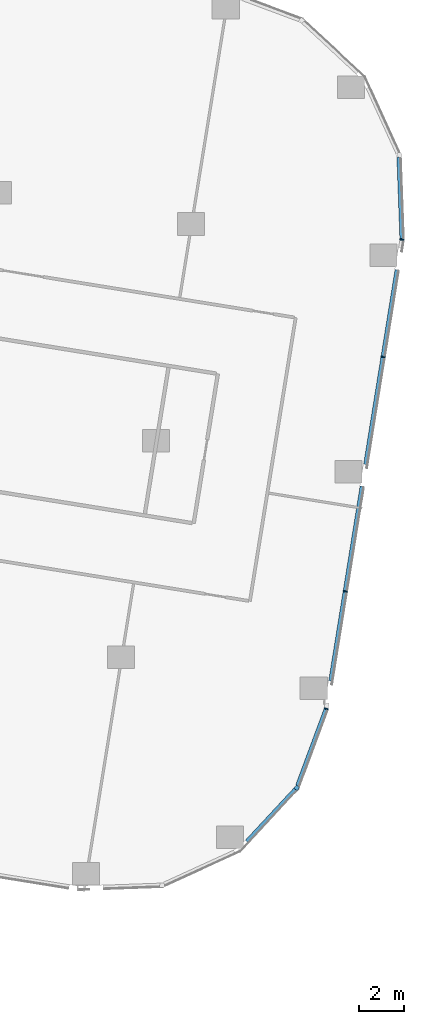
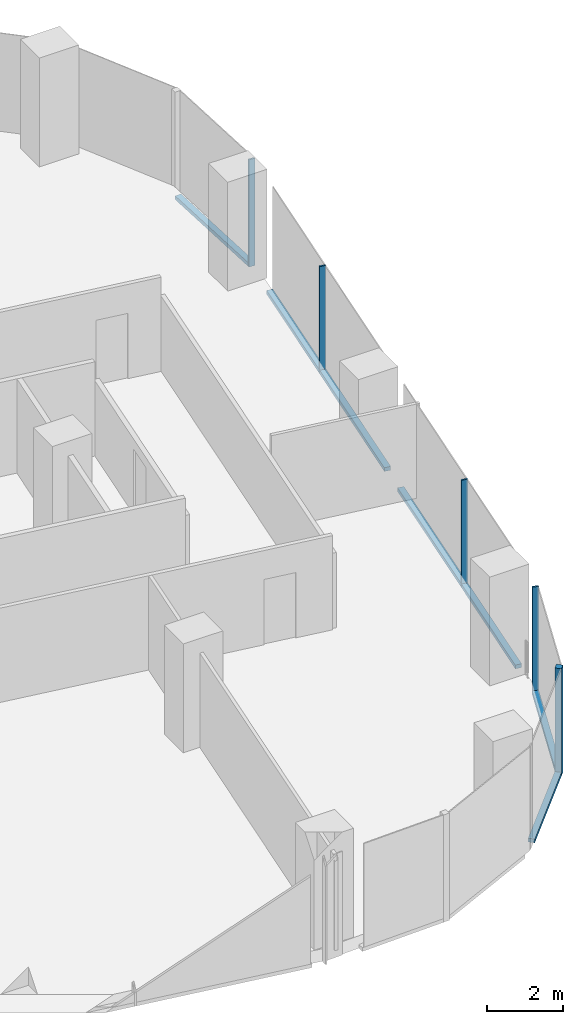
# One storey, part 10 of 34: 10 members, 4 elements without a shape of their own.
"""IFC4 building model written with IfcOpenShell, lengths in metres."""

from ifc_helpers import new_model, si_unit, direction, frame, origin, origin_2d, place, context, subcontext, project, spatial, rectangle, extrude, material, material_profile, profile_set, type_object, element, aggregate, save


model = new_model("IFC4")

# Units and contexts
model_context = context("Model", 3, precision=1e-05, world=origin(), true_north=direction((0.0, 1.0)))
body_context = subcontext(model_context, "Body", "Model", "MODEL_VIEW")
ifc_project = project(units=[si_unit("LENGTHUNIT", "METRE"), si_unit("AREAUNIT", "SQUARE_METRE"), si_unit("VOLUMEUNIT", "CUBIC_METRE"), si_unit("PLANEANGLEUNIT", "RADIAN"), si_unit("MASSUNIT", "GRAM", prefix="KILO")], contexts=[model_context])

# Site, building, storey
site_placement = place(None, origin())
site = spatial("IfcSite", under=ifc_project, at=site_placement, CompositionType="ELEMENT")
building_placement = place(site_placement, origin())
building = spatial("IfcBuilding", under=site, at=building_placement, Name="Orlundy Tower", CompositionType="ELEMENT")
storey_placement = place(building_placement, frame((0.0, 0.0, 134.199951171875)))
storey = spatial("IfcBuildingStorey", under=building, at=storey_placement, Name="L34", CompositionType="ELEMENT", Elevation=134.199951171875)

# Curtain wall, member
ifc_material_1 = material(Name="Aluminium bronze anodised", Category="aluminium")
curtain_wall_type = type_object("IfcCurtainWallType", Name="CW1 wall", PredefinedType="NOTDEFINED", material=ifc_material_1)
curtain_wall_1_placement = place(storey_placement, origin())
curtain_wall_1 = element("IfcCurtainWall", 1, at=curtain_wall_1_placement, inside=storey, type_object=curtain_wall_type, Name="CW1 run 013", PredefinedType="NOTDEFINED")
ifc_material_2 = material(Name="Aluminium bronze anodised", Category="aluminium")
ifc_material_profile_1 = material_profile(ifc_material_2, rectangle(XDim=0.179931640625, YDim=0.179931640625, at=origin_2d()), Name="CW1 corner post 180x180")
ifc_profile_set_1 = profile_set([ifc_material_profile_1], Name="Aluminium bronze anodised")
member_type_1 = type_object("IfcMemberType", Name="CW1 corner post 180x180", PredefinedType="MULLION", material=ifc_profile_set_1)
member_1_placement = place(storey_placement, frame((55.85205078125, -23.3671875, -0.39990234375), z_axis=(0.0, 0.0, 1.0), x_axis=(0.732274349196, -0.681009748469, 0.0)))
member_1 = element("IfcMember", 2, at=member_1_placement, type_object=member_type_1, Name="CW1 mullion 41", PredefinedType="MULLION", context=body_context, shape_type="SweptSolid", body=[
    extrude(rectangle(XDim=0.179931640625, YDim=0.179931640625, at=origin_2d()), origin(), (0.0, 0.0, 1.0), 3.449951171875),
])

# Curtain wall, members
curtain_wall_2_placement = place(storey_placement, origin())
curtain_wall_2 = element("IfcCurtainWall", 3, at=curtain_wall_2_placement, inside=storey, type_object=curtain_wall_type, Name="CW1 run 011", PredefinedType="NOTDEFINED")
ifc_material_3 = material(Name="Aluminium bronze anodised", Category="aluminium")
ifc_material_profile_2 = material_profile(ifc_material_3, rectangle(XDim=0.179931640625, YDim=0.050048828125, at=origin_2d()), Name="CW1 mullion 50x180")
ifc_profile_set_2 = profile_set([ifc_material_profile_2], Name="Aluminium bronze anodised")
member_type_2 = type_object("IfcMemberType", Name="CW1 mullion 50x180", PredefinedType="MULLION", material=ifc_profile_set_2)
member_2_placement = place(storey_placement, frame((60.503173828125, 0.88134765625, -0.39990234375), z_axis=(0.0, 0.0, 1.0), x_axis=(0.998091535711, -0.061751812466, 0.0)))
member_2 = element("IfcMember", 4, at=member_2_placement, type_object=member_type_2, Name="CW1 mullion 36", PredefinedType="MULLION", context=body_context, shape_type="SweptSolid", body=[
    extrude(rectangle(XDim=0.179931640625, YDim=0.050048828125, at=origin_2d()), origin(), (0.0, 0.0, 1.0), 3.449951171875),
])
member_3_placement = place(storey_placement, frame((59.665283203125, -4.310302734375, -0.39990234375), z_axis=(0.0, 0.0, 1.0), x_axis=(0.987225178566, -0.159331248677, 0.0)))
member_3 = element("IfcMember", 5, at=member_3_placement, type_object=member_type_2, Name="CW1 mullion 37", PredefinedType="MULLION", context=body_context, shape_type="SweptSolid", body=[
    extrude(rectangle(XDim=0.179931640625, YDim=0.050048828125, at=origin_2d()), origin(), (0.0, 0.0, 1.0), 3.449951171875),
])
member_4_placement = place(storey_placement, frame((57.992431640625, -14.67626953125, -0.39990234375), z_axis=(0.0, 0.0, 1.0), x_axis=(0.987225178566, -0.159331248677, 0.0)))
member_4 = element("IfcMember", 6, at=member_4_placement, type_object=member_type_2, Name="CW1 mullion 39", PredefinedType="MULLION", context=body_context, shape_type="SweptSolid", body=[
    extrude(rectangle(XDim=0.179931640625, YDim=0.050048828125, at=origin_2d()), origin(), (0.0, 0.0, 1.0), 3.449951171875),
])

# Curtain wall, member
curtain_wall_3_placement = place(storey_placement, origin())
curtain_wall_3 = element("IfcCurtainWall", 7, at=curtain_wall_3_placement, inside=storey, type_object=curtain_wall_type, Name="CW1 run 012", PredefinedType="NOTDEFINED")
member_5_placement = place(storey_placement, frame((57.154541015625, -19.8681640625, -0.39990234375), z_axis=(0.0, 0.0, 1.0), x_axis=(0.966861234208, -0.255302475086, 0.0)))
member_5 = element("IfcMember", 8, at=member_5_placement, type_object=member_type_2, Name="CW1 mullion 40", PredefinedType="MULLION", context=body_context, shape_type="SweptSolid", body=[
    extrude(rectangle(XDim=0.179931640625, YDim=0.050048828125, at=origin_2d()), origin(), (0.0, 0.0, 1.0), 3.449951171875),
])

curtain_wall_4_placement = place(storey_placement, origin())
curtain_wall_4 = element("IfcCurtainWall", 9, at=curtain_wall_4_placement, inside=storey, type_object=curtain_wall_type, Name="CW1 run 010", PredefinedType="NOTDEFINED")
ifc_material_4 = material(Name="Aluminium bronze anodised", Category="aluminium")
ifc_material_profile_3 = material_profile(ifc_material_4, rectangle(XDim=0.179931640625, YDim=0.1201171875, at=origin_2d()), Name="CW1 transom 180x120")
ifc_profile_set_3 = profile_set([ifc_material_profile_3], Name="Aluminium bronze anodised")
member_type_3 = type_object("IfcMemberType", Name="CW1 transom 180x120", PredefinedType="USERDEFINED", material=ifc_profile_set_3)
member_6_placement = place(storey_placement, frame((60.37060546875, 4.522216796875, -0.33984375), z_axis=(0.036437636837, -0.999335928816, 0.0), x_axis=(0.999335928816, 0.036437636837, 0.0)))
member_6 = element("IfcMember", 10, at=member_6_placement, type_object=member_type_3, Name="CW1 transom", ObjectType="TRANSOM", PredefinedType="USERDEFINED", context=body_context, shape_type="SweptSolid", body=[
    extrude(rectangle(XDim=0.179931640625, YDim=0.1201171875, at=origin_2d()), origin(), (0.0, 0.0, 1.0), 3.6181640625),
])
aggregate(curtain_wall_4, [member_6])

# Member
member_7_placement = place(storey_placement, frame((60.287353515625, -0.45703125, -0.33984375), z_axis=(-0.15934776008, -0.987222513599, 0.0), x_axis=(0.987222513599, -0.15934776008, 0.0)))
member_7 = element("IfcMember", 11, at=member_7_placement, type_object=member_type_3, Name="CW1 transom", ObjectType="TRANSOM", PredefinedType="USERDEFINED", context=body_context, shape_type="SweptSolid", body=[
    extrude(rectangle(XDim=0.179931640625, YDim=0.1201171875, at=origin_2d()), origin(), (0.0, 0.0, 1.0), 8.71923828125),
])

member_8_placement = place(storey_placement, frame((58.74169921875, -10.032958984375, -0.33984375), z_axis=(-0.159323145254, -0.987226486368, 0.0), x_axis=(0.987226486368, -0.159323145254, 0.0)))
member_8 = element("IfcMember", 12, at=member_8_placement, type_object=member_type_3, Name="CW1 transom", ObjectType="TRANSOM", PredefinedType="USERDEFINED", context=body_context, shape_type="SweptSolid", body=[
    extrude(rectangle(XDim=0.179931640625, YDim=0.1201171875, at=origin_2d()), origin(), (0.0, 0.0, 1.0), 8.716064453125),
])

aggregate(curtain_wall_2, [member_2, member_3, member_4, member_7, member_8])

member_9_placement = place(storey_placement, frame((57.145751953125, -19.8916015625, -0.33984375), z_axis=(-0.34885524219, -0.937176621559, 0.0), x_axis=(0.937176621559, -0.34885524219, 0.0)))
member_9 = element("IfcMember", 13, at=member_9_placement, type_object=member_type_3, Name="CW1 transom", ObjectType="TRANSOM", PredefinedType="USERDEFINED", context=body_context, shape_type="SweptSolid", body=[
    extrude(rectangle(XDim=0.179931640625, YDim=0.1201171875, at=origin_2d()), origin(), (0.0, 0.0, 1.0), 3.611083984375),
])

aggregate(curtain_wall_3, [member_5, member_9])

member_10_placement = place(storey_placement, frame((55.790771484375, -23.43310546875, -0.33984375), z_axis=(-0.681025545886, -0.732259657397, 0.0), x_axis=(0.732259657397, -0.681025545886, 0.0)))
member_10 = element("IfcMember", 14, at=member_10_placement, type_object=member_type_3, Name="CW1 transom", ObjectType="TRANSOM", PredefinedType="USERDEFINED", context=body_context, shape_type="SweptSolid", body=[
    extrude(rectangle(XDim=0.179931640625, YDim=0.1201171875, at=origin_2d()), origin(), (0.0, 0.0, 1.0), 3.14501953125),
])

aggregate(curtain_wall_1, [member_1, member_10])

save(model, "model.ifc")
